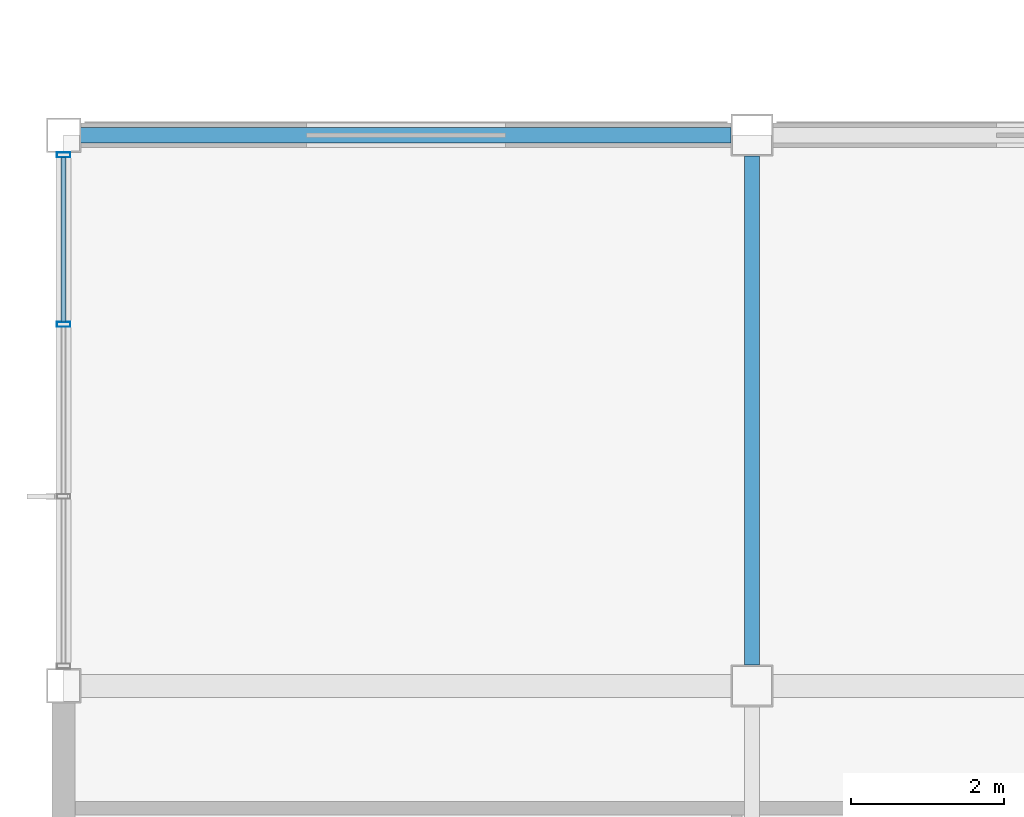
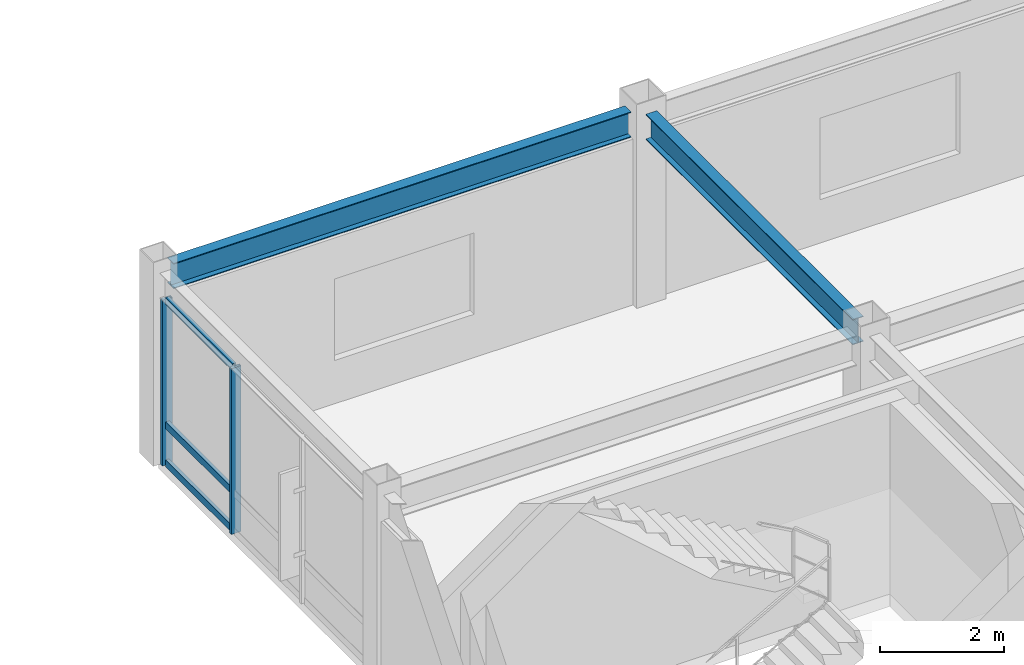
# One storey, part 23 of 122: 5 members, 2 beams, 1 element without a shape of its own.
"""IFC4 building model written with IfcOpenShell, lengths in metres."""

from ifc_helpers import new_model, si_unit, direction, frame, origin, origin_2d, place, context, subcontext, project, spatial, hollow_rectangle, i_section, extrude, material, material_profile, profile_set, type_object, element, aggregate, save


model = new_model("IFC4")

# Units and contexts
model_context = context("Model", 3, precision=1e-05, world=origin(), true_north=direction((0.0, 1.0)))
body_context = subcontext(model_context, "Body", "Model", "MODEL_VIEW")
ifc_project = project(units=[si_unit("LENGTHUNIT", "METRE"), si_unit("AREAUNIT", "SQUARE_METRE"), si_unit("VOLUMEUNIT", "CUBIC_METRE"), si_unit("PLANEANGLEUNIT", "RADIAN"), si_unit("MASSUNIT", "GRAM", prefix="KILO")], contexts=[model_context])

# Site, building, storey
site_placement = place(None, origin())
site = spatial("IfcSite", under=ifc_project, at=site_placement, CompositionType="ELEMENT")
building_placement = place(site_placement, origin())
building = spatial("IfcBuilding", under=site, at=building_placement, Name="Kazanami Central Library", CompositionType="ELEMENT")
storey_placement = place(building_placement, frame((0.0, 0.0, 4.800048828125)))
storey = spatial("IfcBuildingStorey", under=building, at=storey_placement, Name="L02", CompositionType="ELEMENT", Elevation=4.800048828125)

# Beams
ifc_material_1 = material(Name="Steel SN490B (325 MPa)", Category="steel")
ifc_material_profile_1 = material_profile(ifc_material_1, i_section(OverallWidth=0.199951171875, OverallDepth=0.5, WebThickness=0.010009765625, FlangeThickness=0.01611328125, at=origin_2d()), Name="H-500x200x10x16")
ifc_profile_set_1 = profile_set([ifc_material_profile_1], Name="Steel SN490B (325 MPa)")
beam_type_1 = type_object("IfcBeamType", Name="BM-G-Y2", PredefinedType="BEAM", material=ifc_profile_set_1)
beam_1_placement = place(storey_placement, frame((9.0, 29.072998046875, 3.5048828125), z_axis=(0.0, 1.0, 0.0), x_axis=(-1.0, 0.0, 0.0)))
element("IfcBeam", 1, at=beam_1_placement, inside=storey, type_object=beam_type_1, Name="Girder G-Y2 L02 2/E-F", PredefinedType="BEAM", context=body_context, shape_type="SweptSolid", body=[
    extrude(i_section(OverallWidth=0.199951171875, OverallDepth=0.5, WebThickness=0.010009765625, FlangeThickness=0.01611328125, at=origin_2d()), origin(), (0.0, 0.0, 1.0), 6.654052734375),
])
ifc_material_profile_2 = material_profile(ifc_material_1, i_section(OverallWidth=0.199951171875, OverallDepth=0.5, WebThickness=0.010009765625, FlangeThickness=0.01611328125, at=origin_2d()), Name="H-500x200x10x16")
ifc_profile_set_2 = profile_set([ifc_material_profile_2], Name="Steel SN490B (325 MPa)")
beam_type_2 = type_object("IfcBeamType", Name="BM-SP-1", PredefinedType="SPANDREL", material=ifc_profile_set_2)
beam_2_placement = place(storey_placement, frame((0.222900390625, 36.0, 3.5048828125), z_axis=(1.0, 0.0, 0.0), x_axis=(0.0, 1.0, 0.0)))
element("IfcBeam", 2, at=beam_2_placement, inside=storey, type_object=beam_type_2, Name="Girder SP-1 L02 F/1-2", PredefinedType="SPANDREL", context=body_context, shape_type="SweptSolid", body=[
    extrude(i_section(OverallWidth=0.199951171875, OverallDepth=0.5, WebThickness=0.010009765625, FlangeThickness=0.01611328125, at=origin_2d()), origin(), (0.0, 0.0, 1.0), 8.504150390625),
])

# Curtain wall, members
ifc_material_2 = material(Name="Acid-Etched Low-E Laminated Glass", Category="glass")
curtain_wall_type = type_object("IfcCurtainWallType", Name="CW-6750x3255-M225", PredefinedType="USERDEFINED", material=ifc_material_2)
curtain_wall_placement = place(storey_placement, origin())
curtain_wall = element("IfcCurtainWall", 3, at=curtain_wall_placement, inside=storey, type_object=curtain_wall_type, Name="Unitised Curtain Wall CW-20 L02 W-1-04", ObjectType="UNITISED CURTAIN WALL", PredefinedType="USERDEFINED")
ifc_material_3 = material(Name="Anodised Aluminium A6063-T5", Category="aluminium")
ifc_material_profile_3 = material_profile(ifc_material_3, hollow_rectangle(XDim=0.06494140625, YDim=0.179931640625, WallThickness=0.00390625, at=origin_2d()), Name="ALU-MULL-65x180x4")
ifc_profile_set_3 = profile_set([ifc_material_profile_3], Name="Anodised Aluminium A6063-T5")
member_type_1 = type_object("IfcMemberType", Name="MEM-CW-M2", PredefinedType="MULLION", material=ifc_profile_set_3)
member_1_placement = place(storey_placement, frame((0.0, 33.52490234375, 0.0), z_axis=(0.0, 0.0, 1.0), x_axis=(0.0, 1.0, 0.0)))
member_1 = element("IfcMember", 4, at=member_1_placement, type_object=member_type_1, Name="CW-20 mullion 3", PredefinedType="MULLION", context=body_context, shape_type="SweptSolid", body=[
    extrude(hollow_rectangle(XDim=0.06494140625, YDim=0.179931640625, WallThickness=0.00390625, at=origin_2d()), origin(), (0.0, 0.0, 1.0), 3.2548828125),
])
member_2_placement = place(storey_placement, frame((0.0, 35.742431640625, 0.0), z_axis=(0.0, 0.0, 1.0), x_axis=(0.0, 1.0, 0.0)))
member_2 = element("IfcMember", 5, at=member_2_placement, type_object=member_type_1, Name="CW-20 mullion 4", PredefinedType="MULLION", context=body_context, shape_type="SweptSolid", body=[
    extrude(hollow_rectangle(XDim=0.06494140625, YDim=0.179931640625, WallThickness=0.00390625, at=origin_2d()), origin(), (0.0, 0.0, 1.0), 3.2548828125),
])
ifc_material_profile_4 = material_profile(ifc_material_3, hollow_rectangle(XDim=0.06494140625, YDim=0.139892578125, WallThickness=0.00390625, at=origin_2d()), Name="ALU-TRAN-65x140x4")
ifc_profile_set_4 = profile_set([ifc_material_profile_4], Name="Anodised Aluminium A6063-T5")
member_type_2 = type_object("IfcMemberType", Name="MEM-CW-T2", PredefinedType="USERDEFINED", material=ifc_profile_set_4)
member_3_placement = place(storey_placement, frame((0.0, 33.5576171875, 0.032470703125), z_axis=(0.0, 1.0, 0.0), x_axis=(-1.0, 0.0, 0.0)))
member_3 = element("IfcMember", 6, at=member_3_placement, type_object=member_type_2, Name="CW-20 transom 3.1", ObjectType="TRANSOM", PredefinedType="USERDEFINED", context=body_context, shape_type="SweptSolid", body=[
    extrude(hollow_rectangle(XDim=0.06494140625, YDim=0.139892578125, WallThickness=0.00390625, at=origin_2d()), origin(), (0.0, 0.0, 1.0), 2.15234375),
])
member_4_placement = place(storey_placement, frame((0.0, 33.5576171875, 0.780029296875), z_axis=(0.0, 1.0, 0.0), x_axis=(-1.0, 0.0, 0.0)))
member_4 = element("IfcMember", 7, at=member_4_placement, type_object=member_type_2, Name="CW-20 transom 3.2", ObjectType="TRANSOM", PredefinedType="USERDEFINED", context=body_context, shape_type="SweptSolid", body=[
    extrude(hollow_rectangle(XDim=0.06494140625, YDim=0.139892578125, WallThickness=0.00390625, at=origin_2d()), origin(), (0.0, 0.0, 1.0), 2.15234375),
])
member_5_placement = place(storey_placement, frame((0.0, 33.5576171875, 3.222412109375), z_axis=(0.0, 1.0, 0.0), x_axis=(-1.0, 0.0, 0.0)))
member_5 = element("IfcMember", 8, at=member_5_placement, type_object=member_type_2, Name="CW-20 transom 3.3", ObjectType="TRANSOM", PredefinedType="USERDEFINED", context=body_context, shape_type="SweptSolid", body=[
    extrude(hollow_rectangle(XDim=0.06494140625, YDim=0.139892578125, WallThickness=0.00390625, at=origin_2d()), origin(), (0.0, 0.0, 1.0), 2.15234375),
])
aggregate(curtain_wall, [member_1, member_2, member_3, member_4, member_5])

save(model, "model.ifc")
